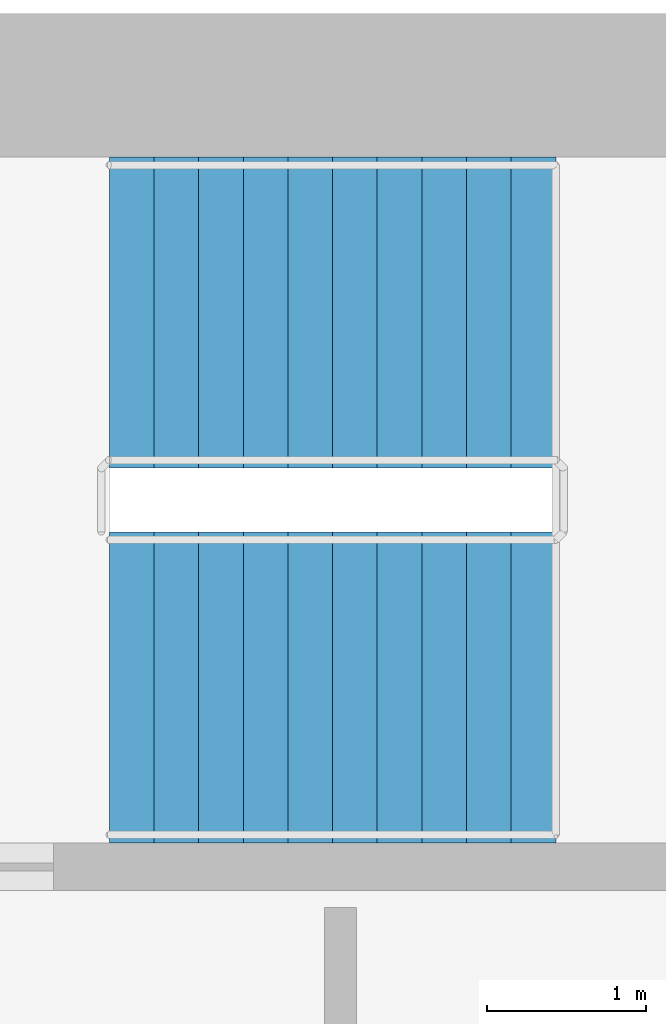
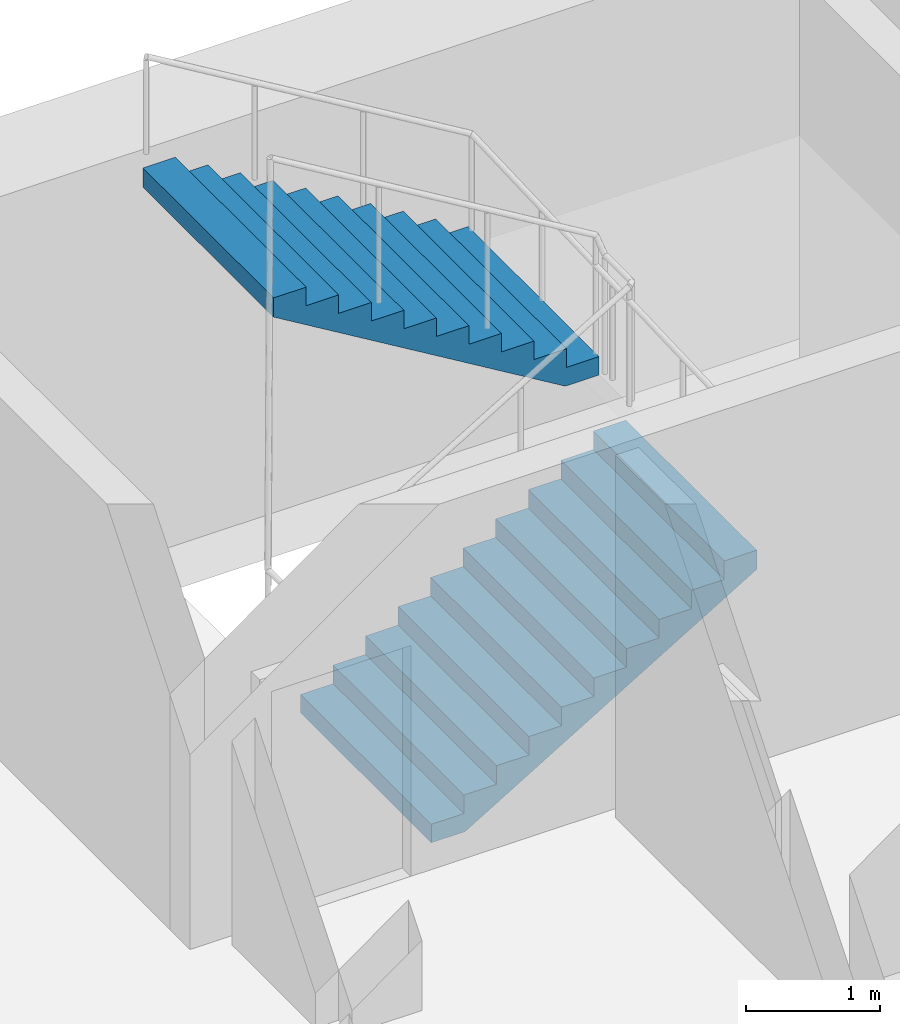
# One storey, part 17 of 22: 2 stair flights, 1 element without a shape of its own.
"""IFC4 building model written with IfcOpenShell, lengths in metres."""

from ifc_helpers import new_model, si_unit, direction, frame, origin, place, context, subcontext, project, spatial, polyline, outline, extrude, material, type_object, element, aggregate, save


model = new_model("IFC4")

# Units and contexts
model_context = context("Model", 3, precision=1e-05, world=origin(), true_north=direction((0.0, 1.0)))
body_context = subcontext(model_context, "Body", "Model", "MODEL_VIEW")
ifc_project = project(units=[si_unit("LENGTHUNIT", "METRE"), si_unit("AREAUNIT", "SQUARE_METRE"), si_unit("VOLUMEUNIT", "CUBIC_METRE"), si_unit("PLANEANGLEUNIT", "RADIAN"), si_unit("MASSUNIT", "GRAM", prefix="KILO")], contexts=[model_context])

# Site, building, storey
site_placement = place(None, origin())
site = spatial("IfcSite", under=ifc_project, at=site_placement, CompositionType="ELEMENT")
building_placement = place(site_placement, origin())
building = spatial("IfcBuilding", under=site, at=building_placement, Name="Hunhe Ridgeline Campus", CompositionType="ELEMENT")
storey_placement = place(building_placement, frame((0.0, 0.0, 156.0)))
storey = spatial("IfcBuildingStorey", under=building, at=storey_placement, Name="L39", CompositionType="ELEMENT", Elevation=156.0)

# Stair, stair flights
ifc_material = material(Name="Concrete C40", Category="concrete")
stair_type = type_object("IfcStairType", Name="Reinforced concrete dog-leg stair 1950 Concrete C40", PredefinedType="HALF_TURN_STAIR", material=ifc_material)
stair_placement = place(storey_placement, origin())
stair = element("IfcStair", 1, at=stair_placement, inside=storey, type_object=stair_type, Name="L39 E2", PredefinedType="HALF_TURN_STAIR")
stair_flight_type = type_object("IfcStairFlightType", Name="Reinforced concrete stair flight 1950 Concrete C40", PredefinedType="STRAIGHT", material=ifc_material)
stair_flight_1_placement = place(storey_placement, frame((51.64990234375, 94.77490234375, 0.0), z_axis=(0.0, 0.0, 1.0), x_axis=(1.0, 0.0, 0.0)))
stair_flight_1 = element("IfcStairFlight", 2, at=stair_flight_1_placement, type_object=stair_flight_type, Name="ST6 flight 1", NumberOfRisers=11, NumberOfTreads=10, PredefinedType="STRAIGHT", RiserHeight=0.168181818, TreadLength=0.28, context=body_context, shape_type="SweptSolid", body=[
    extrude(outline(polyline([(0.0, 0.0), (0.0, 0.168212890625), (0.280029296875, 0.168212890625), (0.280029296875, 0.33642578125), (0.56005859375, 0.33642578125), (0.56005859375, 0.504638671875), (0.840087890625, 0.504638671875), (0.840087890625, 0.672607421875), (1.1201171875, 0.672607421875), (1.1201171875, 0.8408203125), (1.39990234375, 0.8408203125), (1.39990234375, 1.009033203125), (1.679931640625, 1.009033203125), (1.679931640625, 1.17724609375), (1.9599609375, 1.17724609375), (1.9599609375, 1.345458984375), (2.239990234375, 1.345458984375), (2.239990234375, 1.513671875), (2.52001953125, 1.513671875), (2.52001953125, 1.681884765625), (2.800048828125, 1.681884765625), (2.800048828125, 1.85009765625), (2.800048828125, 1.5068359375), (0.291015625, 0.0), (0.0, 0.0)])), frame((0.0, 0.97509765625, 0.0), z_axis=(0.0, -1.0, 0.0), x_axis=(1.0, 0.0, 0.0)), (0.0, 0.0, 1.0), 1.949951171875),
    extrude(outline(polyline([(0.030029296875, 0.030029296875), (0.030029296875, 0.13818359375), (0.31005859375, 0.13818359375), (0.31005859375, 0.306396484375), (0.590087890625, 0.306396484375), (0.590087890625, 0.474609375), (0.8701171875, 0.474609375), (0.8701171875, 0.642578125), (1.14990234375, 0.642578125), (1.14990234375, 0.810791015625), (1.429931640625, 0.810791015625), (1.429931640625, 0.97900390625), (1.7099609375, 0.97900390625), (1.7099609375, 1.147216796875), (1.989990234375, 1.147216796875), (1.989990234375, 1.3154296875), (2.27001953125, 1.3154296875), (2.27001953125, 1.483642578125), (2.550048828125, 1.483642578125), (2.550048828125, 1.65185546875), (2.77001953125, 1.65185546875), (2.77001953125, 1.52392578125), (0.28271484375, 0.030029296875), (0.030029296875, 0.030029296875)])), frame((0.0, -0.070068359375, 0.0), z_axis=(0.0, -1.0, 0.0), x_axis=(1.0, 0.0, 0.0)), (0.0, 0.0, 1.0), 0.019775390625),
    extrude(outline(polyline([(0.030029296875, 0.030029296875), (0.030029296875, 0.13818359375), (0.31005859375, 0.13818359375), (0.31005859375, 0.306396484375), (0.590087890625, 0.306396484375), (0.590087890625, 0.474609375), (0.8701171875, 0.474609375), (0.8701171875, 0.642578125), (1.14990234375, 0.642578125), (1.14990234375, 0.810791015625), (1.429931640625, 0.810791015625), (1.429931640625, 0.97900390625), (1.7099609375, 0.97900390625), (1.7099609375, 1.147216796875), (1.989990234375, 1.147216796875), (1.989990234375, 1.3154296875), (2.27001953125, 1.3154296875), (2.27001953125, 1.483642578125), (2.550048828125, 1.483642578125), (2.550048828125, 1.65185546875), (2.77001953125, 1.65185546875), (2.77001953125, 1.52392578125), (0.28271484375, 0.030029296875), (0.030029296875, 0.030029296875)])), frame((0.0, 0.010009765625, 0.0), z_axis=(0.0, -1.0, 0.0), x_axis=(1.0, 0.0, 0.0)), (0.0, 0.0, 1.0), 0.019775390625),
    extrude(outline(polyline([(0.030029296875, 0.030029296875), (0.030029296875, 0.13818359375), (0.31005859375, 0.13818359375), (0.31005859375, 0.306396484375), (0.590087890625, 0.306396484375), (0.590087890625, 0.474609375), (0.8701171875, 0.474609375), (0.8701171875, 0.642578125), (1.14990234375, 0.642578125), (1.14990234375, 0.810791015625), (1.429931640625, 0.810791015625), (1.429931640625, 0.97900390625), (1.7099609375, 0.97900390625), (1.7099609375, 1.147216796875), (1.989990234375, 1.147216796875), (1.989990234375, 1.3154296875), (2.27001953125, 1.3154296875), (2.27001953125, 1.483642578125), (2.550048828125, 1.483642578125), (2.550048828125, 1.65185546875), (2.77001953125, 1.65185546875), (2.77001953125, 1.52392578125), (0.28271484375, 0.030029296875), (0.030029296875, 0.030029296875)])), frame((0.0, 0.090087890625, 0.0), z_axis=(0.0, -1.0, 0.0), x_axis=(1.0, 0.0, 0.0)), (0.0, 0.0, 1.0), 0.019775390625),
])
stair_flight_2_placement = place(storey_placement, frame((54.449951171875, 97.125, 1.85009765625), z_axis=(0.0, 0.0, 1.0), x_axis=(-1.0, 0.0, 0.0)))
stair_flight_2 = element("IfcStairFlight", 3, at=stair_flight_2_placement, type_object=stair_flight_type, Name="ST6 flight 2", NumberOfRisers=11, NumberOfTreads=10, PredefinedType="STRAIGHT", RiserHeight=0.168181818, TreadLength=0.28, context=body_context, shape_type="SweptSolid", body=[
    extrude(outline(polyline([(0.0, 0.0), (0.0, 0.168212890625), (0.280029296875, 0.168212890625), (0.280029296875, 0.33642578125), (0.56005859375, 0.33642578125), (0.56005859375, 0.504638671875), (0.840087890625, 0.504638671875), (0.840087890625, 0.672607421875), (1.1201171875, 0.672607421875), (1.1201171875, 0.8408203125), (1.39990234375, 0.8408203125), (1.39990234375, 1.009033203125), (1.679931640625, 1.009033203125), (1.679931640625, 1.17724609375), (1.9599609375, 1.17724609375), (1.9599609375, 1.345458984375), (2.239990234375, 1.345458984375), (2.239990234375, 1.513671875), (2.52001953125, 1.513671875), (2.52001953125, 1.681884765625), (2.800048828125, 1.681884765625), (2.800048828125, 1.85009765625), (2.800048828125, 1.5068359375), (0.291015625, 0.0), (0.0, 0.0)])), frame((0.0, 0.97509765625, 0.0), z_axis=(0.0, -1.0, 0.0), x_axis=(1.0, 0.0, 0.0)), (0.0, 0.0, 1.0), 1.949951171875),
    extrude(outline(polyline([(0.030029296875, 0.030029296875), (0.030029296875, 0.13818359375), (0.31005859375, 0.13818359375), (0.31005859375, 0.306396484375), (0.590087890625, 0.306396484375), (0.590087890625, 0.474609375), (0.8701171875, 0.474609375), (0.8701171875, 0.642578125), (1.14990234375, 0.642578125), (1.14990234375, 0.810791015625), (1.429931640625, 0.810791015625), (1.429931640625, 0.97900390625), (1.7099609375, 0.97900390625), (1.7099609375, 1.147216796875), (1.989990234375, 1.147216796875), (1.989990234375, 1.3154296875), (2.27001953125, 1.3154296875), (2.27001953125, 1.483642578125), (2.550048828125, 1.483642578125), (2.550048828125, 1.65185546875), (2.77001953125, 1.65185546875), (2.77001953125, 1.52392578125), (0.28271484375, 0.030029296875), (0.030029296875, 0.030029296875)])), frame((0.0, -0.070068359375, 0.0), z_axis=(0.0, -1.0, 0.0), x_axis=(1.0, 0.0, 0.0)), (0.0, 0.0, 1.0), 0.019775390625),
    extrude(outline(polyline([(0.030029296875, 0.030029296875), (0.030029296875, 0.13818359375), (0.31005859375, 0.13818359375), (0.31005859375, 0.306396484375), (0.590087890625, 0.306396484375), (0.590087890625, 0.474609375), (0.8701171875, 0.474609375), (0.8701171875, 0.642578125), (1.14990234375, 0.642578125), (1.14990234375, 0.810791015625), (1.429931640625, 0.810791015625), (1.429931640625, 0.97900390625), (1.7099609375, 0.97900390625), (1.7099609375, 1.147216796875), (1.989990234375, 1.147216796875), (1.989990234375, 1.3154296875), (2.27001953125, 1.3154296875), (2.27001953125, 1.483642578125), (2.550048828125, 1.483642578125), (2.550048828125, 1.65185546875), (2.77001953125, 1.65185546875), (2.77001953125, 1.52392578125), (0.28271484375, 0.030029296875), (0.030029296875, 0.030029296875)])), frame((0.0, 0.010009765625, 0.0), z_axis=(0.0, -1.0, 0.0), x_axis=(1.0, 0.0, 0.0)), (0.0, 0.0, 1.0), 0.019775390625),
    extrude(outline(polyline([(0.030029296875, 0.030029296875), (0.030029296875, 0.13818359375), (0.31005859375, 0.13818359375), (0.31005859375, 0.306396484375), (0.590087890625, 0.306396484375), (0.590087890625, 0.474609375), (0.8701171875, 0.474609375), (0.8701171875, 0.642578125), (1.14990234375, 0.642578125), (1.14990234375, 0.810791015625), (1.429931640625, 0.810791015625), (1.429931640625, 0.97900390625), (1.7099609375, 0.97900390625), (1.7099609375, 1.147216796875), (1.989990234375, 1.147216796875), (1.989990234375, 1.3154296875), (2.27001953125, 1.3154296875), (2.27001953125, 1.483642578125), (2.550048828125, 1.483642578125), (2.550048828125, 1.65185546875), (2.77001953125, 1.65185546875), (2.77001953125, 1.52392578125), (0.28271484375, 0.030029296875), (0.030029296875, 0.030029296875)])), frame((0.0, 0.090087890625, 0.0), z_axis=(0.0, -1.0, 0.0), x_axis=(1.0, 0.0, 0.0)), (0.0, 0.0, 1.0), 0.019775390625),
])
aggregate(stair, [stair_flight_1, stair_flight_2])

save(model, "model.ifc")
